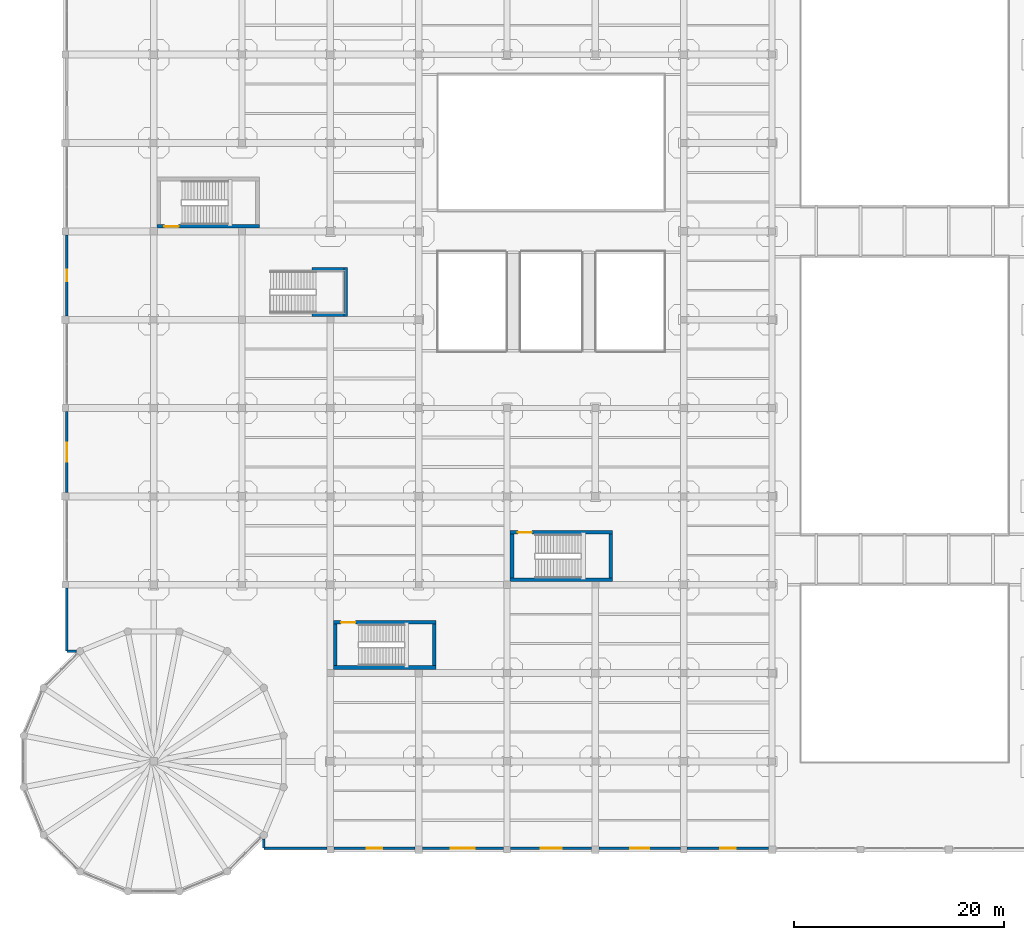
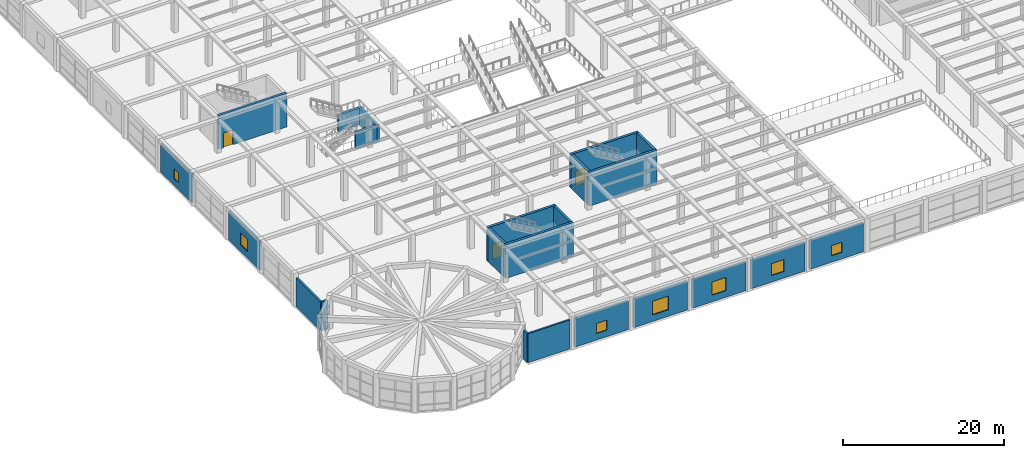
# One storey, part 77 of 95: 23 walls, 7 windows, 3 doors, 10 openings.
"""IFC4 building model written with IfcOpenShell, lengths in metres."""

from ifc_helpers import new_model, si_unit, direction, frame, frame_2d, origin, place, context, subcontext, project, spatial, rectangle, extrude, material, layer, layer_set, type_object, element, fill, save


model = new_model("IFC4")

# Units and contexts
model_context = context("Model", 3, precision=1e-05, world=origin(), true_north=direction((0.0, 1.0)))
body_context = subcontext(model_context, "Body", "Model", "MODEL_VIEW")
ifc_project = project(units=[si_unit("LENGTHUNIT", "METRE"), si_unit("AREAUNIT", "SQUARE_METRE"), si_unit("VOLUMEUNIT", "CUBIC_METRE"), si_unit("PLANEANGLEUNIT", "RADIAN"), si_unit("MASSUNIT", "GRAM", prefix="KILO")], contexts=[model_context])

# Site, building, storey
site_placement = place(None, origin())
site = spatial("IfcSite", under=ifc_project, at=site_placement, CompositionType="ELEMENT")
building_placement = place(site_placement, origin())
building = spatial("IfcBuilding", under=site, at=building_placement, Name="Almacenes y Pasaje Nevantli", CompositionType="ELEMENT")
storey_placement = place(building_placement, frame((0.0, 0.0, 11.39990234375)))
storey = spatial("IfcBuildingStorey", under=building, at=storey_placement, Name="L03", CompositionType="ELEMENT", Elevation=11.39990234375)

# Wall
ifc_material_1 = material(Name="Concrete C45/55", Category="concrete")
ifc_layer_1 = layer(ifc_material_1, 0.35009765625)
ifc_layer_set_1 = layer_set([ifc_layer_1], Name="Concrete C45/55")
wall_type_1 = type_object("IfcWallType", Name="WL-CORE-350", PredefinedType="SHEAR", material=ifc_layer_set_1)
wall_1_placement = place(storey_placement, frame((25.5, 17.324951171875, 0.0), z_axis=(0.0, 0.0, 1.0), x_axis=(1.0, 0.0, 0.0)))
element("IfcWall", 1, at=wall_1_placement, inside=storey, type_object=wall_type_1, Name="L03 Exit Stair ST-04 South Core Shear Wall", PredefinedType="SHEAR", context=body_context, shape_type="SweptSolid", body=[
    extrude(rectangle(XDim=9.75, YDim=0.35009765625, at=frame_2d((4.875, 0.0))), origin(), (0.0, 0.0, 1.0), 5.10009765625),
])

# Wall, opening, door
wall_2_placement = place(storey_placement, frame((25.5, 21.625, 0.0), z_axis=(0.0, 0.0, 1.0), x_axis=(1.0, 0.0, 0.0)))
wall_2 = element("IfcWall", 2, at=wall_2_placement, inside=storey, type_object=wall_type_1, Name="L03 Exit Stair ST-04 North Core Shear Wall", PredefinedType="SHEAR", context=body_context, shape_type="SweptSolid", body=[
    extrude(rectangle(XDim=9.75, YDim=0.35009765625, at=frame_2d((4.875, 0.0))), origin(), (0.0, 0.0, 1.0), 5.10009765625),
])
opening_1_placement = place(wall_2_placement, frame((0.719970703125, 0.0, 0.0)))
opening_1 = element("IfcOpeningElement", 3, at=opening_1_placement, cuts=wall_2, Name="Opening SD-04-L03", PredefinedType="OPENING", context=body_context, shape_type="SweptSolid", body=[
    extrude(rectangle(XDim=1.35009765625, YDim=2.25, at=frame_2d((0.675048828125, 1.125))), frame((0.0, 0.18505859375, 0.0), z_axis=(0.0, -1.0, 0.0), x_axis=(1.0, 0.0, 0.0)), (0.0, 0.0, 1.0), 0.3701171875),
])
ifc_material_2 = material(Name="Galvanized Fire-Rated Steel", Category="steel")
door_type = type_object("IfcDoorType", Name="DR-STAIR-1350R", OperationType="SINGLE_SWING_RIGHT", PredefinedType="DOOR", material=ifc_material_2)
door_1_placement = place(opening_1_placement, origin())
door_1 = element("IfcDoor", 4, at=door_1_placement, inside=storey, type_object=door_type, Name="L03 Smokeproof Exit Stair ST-04 Fire Door", OperationType="SINGLE_SWING_RIGHT", OverallHeight=2.25, OverallWidth=1.35009765625, PredefinedType="DOOR", context=body_context, shape_type="SweptSolid", body=[
    extrude(rectangle(XDim=1.35009765625, YDim=2.25, at=frame_2d((0.675048828125, 1.125))), frame((0.0, 0.02490234375, 0.0), z_axis=(0.0, -1.0, 0.0), x_axis=(1.0, 0.0, 0.0)), (0.0, 0.0, 1.0), 0.050048828125),
])
fill(opening_1, door_1)

# Walls
for number, where, z_axis, x_axis, name in (
    (5, (25.675048828125, 17.5, 0.0), (0.0, 0.0, 1.0), (0.0, 1.0, 0.0), "L03 Exit Stair ST-04 West Core Shear Wall"),
    (6, (35.074951171875, 17.5, 0.0), (0.0, 0.0, 1.0), (0.0, 1.0, 0.0), "L03 Exit Stair ST-04 East Core Shear Wall"),
):
    element("IfcWall", number, at=place(storey_placement, frame(where, z_axis=z_axis, x_axis=x_axis)), inside=storey, type_object=wall_type_1, Name=name, PredefinedType="SHEAR", context=body_context, shape_type="SweptSolid", body=[
        extrude(rectangle(XDim=3.949951171875, YDim=0.35009765625, at=frame_2d((1.97509765625, 0.0))), origin(), (0.0, 0.0, 1.0), 5.10009765625),
    ])

# Wall, opening, door
wall_3_placement = place(storey_placement, frame((8.699951171875, 59.27490234375, 0.0), z_axis=(0.0, 0.0, 1.0), x_axis=(1.0, 0.0, 0.0)))
wall_3 = element("IfcWall", 7, at=wall_3_placement, inside=storey, type_object=wall_type_1, Name="L03 Exit Stair ST-12 South Core Shear Wall", PredefinedType="SHEAR", context=body_context, shape_type="SweptSolid", body=[
    extrude(rectangle(XDim=9.75, YDim=0.35009765625, at=frame_2d((4.875, 0.0))), origin(), (0.0, 0.0, 1.0), 5.10009765625),
])
opening_2_placement = place(wall_3_placement, frame((0.719970703125, 0.0, 0.0)))
opening_2 = element("IfcOpeningElement", 8, at=opening_2_placement, cuts=wall_3, Name="Opening SD-12-L03", PredefinedType="OPENING", context=body_context, shape_type="SweptSolid", body=[
    extrude(rectangle(XDim=1.35009765625, YDim=2.25, at=frame_2d((0.675048828125, 1.125))), frame((0.0, 0.18505859375, 0.0), z_axis=(0.0, -1.0, 0.0), x_axis=(1.0, 0.0, 0.0)), (0.0, 0.0, 1.0), 0.3701171875),
])
door_2_placement = place(opening_2_placement, origin())
door_2 = element("IfcDoor", 9, at=door_2_placement, inside=storey, type_object=door_type, Name="L03 Smokeproof Exit Stair ST-12 Fire Door", OperationType="SINGLE_SWING_RIGHT", OverallHeight=2.25, OverallWidth=1.35009765625, PredefinedType="DOOR", context=body_context, shape_type="SweptSolid", body=[
    extrude(rectangle(XDim=1.35009765625, YDim=2.25, at=frame_2d((0.675048828125, 1.125))), frame((0.0, 0.02490234375, 0.0), z_axis=(0.0, -1.0, 0.0), x_axis=(1.0, 0.0, 0.0)), (0.0, 0.0, 1.0), 0.050048828125),
])
fill(opening_2, door_2)

# Wall
wall_4_placement = place(storey_placement, frame((42.300048828125, 25.675048828125, 0.0), z_axis=(0.0, 0.0, 1.0), x_axis=(1.0, 0.0, 0.0)))
element("IfcWall", 10, at=wall_4_placement, inside=storey, type_object=wall_type_1, Name="L03 Exit Stair ST-14 South Core Shear Wall", PredefinedType="SHEAR", context=body_context, shape_type="SweptSolid", body=[
    extrude(rectangle(XDim=9.75, YDim=0.35009765625, at=frame_2d((4.875, 0.0))), origin(), (0.0, 0.0, 1.0), 5.10009765625),
])

# Wall, opening, door
wall_5_placement = place(storey_placement, frame((42.300048828125, 30.175048828125, 0.0), z_axis=(0.0, 0.0, 1.0), x_axis=(1.0, 0.0, 0.0)))
wall_5 = element("IfcWall", 11, at=wall_5_placement, inside=storey, type_object=wall_type_1, Name="L03 Exit Stair ST-14 North Core Shear Wall", PredefinedType="SHEAR", context=body_context, shape_type="SweptSolid", body=[
    extrude(rectangle(XDim=9.75, YDim=0.35009765625, at=frame_2d((4.875, 0.0))), origin(), (0.0, 0.0, 1.0), 5.10009765625),
])
opening_3_placement = place(wall_5_placement, frame((0.719970703125, 0.0, 0.0)))
opening_3 = element("IfcOpeningElement", 12, at=opening_3_placement, cuts=wall_5, Name="Opening SD-14-L03", PredefinedType="OPENING", context=body_context, shape_type="SweptSolid", body=[
    extrude(rectangle(XDim=1.35009765625, YDim=2.25, at=frame_2d((0.675048828125, 1.125))), frame((0.0, 0.18505859375, 0.0), z_axis=(0.0, -1.0, 0.0), x_axis=(1.0, 0.0, 0.0)), (0.0, 0.0, 1.0), 0.3701171875),
])
door_3_placement = place(opening_3_placement, origin())
door_3 = element("IfcDoor", 13, at=door_3_placement, inside=storey, type_object=door_type, Name="L03 Smokeproof Exit Stair ST-14 Fire Door", OperationType="SINGLE_SWING_RIGHT", OverallHeight=2.25, OverallWidth=1.35009765625, PredefinedType="DOOR", context=body_context, shape_type="SweptSolid", body=[
    extrude(rectangle(XDim=1.35009765625, YDim=2.25, at=frame_2d((0.675048828125, 1.125))), frame((0.0, 0.02490234375, 0.0), z_axis=(0.0, -1.0, 0.0), x_axis=(1.0, 0.0, 0.0)), (0.0, 0.0, 1.0), 0.050048828125),
])
fill(opening_3, door_3)

# Walls
for number, where, z_axis, x_axis, name in (
    (14, (42.47509765625, 25.85009765625, 0.0), (0.0, 0.0, 1.0), (0.0, 1.0, 0.0), "L03 Exit Stair ST-14 West Core Shear Wall"),
    (15, (51.875, 25.85009765625, 0.0), (0.0, 0.0, 1.0), (0.0, 1.0, 0.0), "L03 Exit Stair ST-14 East Core Shear Wall"),
):
    element("IfcWall", number, at=place(storey_placement, frame(where, z_axis=z_axis, x_axis=x_axis)), inside=storey, type_object=wall_type_1, Name=name, PredefinedType="SHEAR", context=body_context, shape_type="SweptSolid", body=[
        extrude(rectangle(XDim=4.14990234375, YDim=0.35009765625, at=frame_2d((2.074951171875, 0.0))), origin(), (0.0, 0.0, 1.0), 5.10009765625),
    ])
wall_6_placement = place(storey_placement, frame((26.675048828125, 50.699951171875, 0.0), z_axis=(0.0, 0.0, 1.0), x_axis=(0.0, 1.0, 0.0)))
element("IfcWall", 16, at=wall_6_placement, inside=storey, type_object=wall_type_1, Name="L03 Monumental Stair ST-11 East Support Fin Wall", PredefinedType="SHEAR", context=body_context, shape_type="SweptSolid", body=[
    extrude(rectangle(XDim=4.650146484375, YDim=0.35009765625, at=frame_2d((2.3251953125, 0.0))), origin(), (0.0, 0.0, 1.0), 2.5),
])
for number, where, z_axis, x_axis, name in (
    (17, (23.449951171875, 50.875, 0.0), (0.0, 0.0, 1.0), (1.0, 0.0, 0.0), "L03 Monumental Stair ST-11 South Support Fin Wall"),
    (18, (23.449951171875, 55.175048828125, 0.0), (0.0, 0.0, 1.0), (1.0, 0.0, 0.0), "L03 Monumental Stair ST-11 North Support Fin Wall"),
):
    element("IfcWall", number, at=place(storey_placement, frame(where, z_axis=z_axis, x_axis=x_axis)), inside=storey, type_object=wall_type_1, Name=name, PredefinedType="SHEAR", context=body_context, shape_type="SweptSolid", body=[
        extrude(rectangle(XDim=3.050048828125, YDim=0.35009765625, at=frame_2d((1.52490234375, 0.0))), origin(), (0.0, 0.0, 1.0), 2.5),
    ])

# Wall, opening, window
ifc_material_3 = material(Name="Cream Architectural Precast Concrete C35/45 Wall", Category="concrete")
ifc_layer_2 = layer(ifc_material_3, 0.260009765625)
ifc_layer_set_2 = layer_set([ifc_layer_2], Name="Cream Architectural Precast Concrete C35/45 Wall")
wall_type_2 = type_object("IfcWallType", Name="WL-EXT-PRECAST-260", PredefinedType="SOLIDWALL", material=ifc_layer_set_2)
wall_7_placement = place(storey_placement, frame((25.528076171875, 0.14990234375, 0.0), z_axis=(0.0, 0.0, 1.0), x_axis=(1.0, 0.0, 0.0)))
wall_7 = element("IfcWall", 19, at=wall_7_placement, inside=storey, type_object=wall_type_2, Name="L03 South Retail Spandrel Wall Bay 4", PredefinedType="SOLIDWALL", context=body_context, shape_type="SweptSolid", body=[
    extrude(rectangle(XDim=7.719970703125, YDim=0.260009765625, at=frame_2d((3.85986328125, 0.0))), origin(), (0.0, 0.0, 1.0), 4.380126953125),
])
opening_4_placement = place(wall_7_placement, frame((3.1220703125, 0.0, 1.0)))
opening_4 = element("IfcOpeningElement", 20, at=opening_4_placement, cuts=wall_7, Name="Opening WT-08-099", PredefinedType="OPENING", context=body_context, shape_type="SweptSolid", body=[
    extrude(rectangle(XDim=1.5, YDim=1.5, at=frame_2d((0.75, 0.75))), frame((0.0, 0.139892578125, 0.0), z_axis=(0.0, -1.0, 0.0), x_axis=(1.0, 0.0, 0.0)), (0.0, 0.0, 1.0), 0.280029296875),
])
ifc_material_4 = material(Name="Thermally Broken Aluminium and Low-E Double Glazing", Category="aluminium")
window_type_1 = type_object("IfcWindowType", Name="WN-OCU-1500", PartitioningType="SINGLE_PANEL", PredefinedType="WINDOW", material=ifc_material_4)
window_1_placement = place(opening_4_placement, origin())
window_1 = element("IfcWindow", 21, at=window_1_placement, inside=storey, type_object=window_type_1, Name="L03 Exterior Window WT-08 #99", OverallHeight=1.5, OverallWidth=1.5, PartitioningType="SINGLE_PANEL", PredefinedType="WINDOW", context=body_context, shape_type="SweptSolid", body=[
    extrude(rectangle(XDim=1.5, YDim=1.5, at=frame_2d((0.75, 0.75))), frame((0.0, 0.030029296875, 0.0), z_axis=(0.0, -1.0, 0.0), x_axis=(1.0, 0.0, 0.0)), (0.0, 0.0, 1.0), 0.06005859375),
])
fill(opening_4, window_1)

wall_8_placement = place(storey_placement, frame((33.9541015625, 0.14990234375, 0.0), z_axis=(0.0, 0.0, 1.0), x_axis=(1.0, 0.0, 0.0)))
wall_8 = element("IfcWall", 22, at=wall_8_placement, inside=storey, type_object=wall_type_2, Name="L03 South Retail Spandrel Wall Bay 5", PredefinedType="SOLIDWALL", context=body_context, shape_type="SweptSolid", body=[
    extrude(rectangle(XDim=7.718017578125, YDim=0.260009765625, at=frame_2d((3.85888671875, 0.0))), origin(), (0.0, 0.0, 1.0), 4.380126953125),
])
opening_5_placement = place(wall_8_placement, frame((2.696044921875, 0.0, 1.0)))
opening_5 = element("IfcOpeningElement", 23, at=opening_5_placement, cuts=wall_8, Name="Opening WT-14-100", PredefinedType="OPENING", context=body_context, shape_type="SweptSolid", body=[
    extrude(rectangle(XDim=2.300048828125, YDim=2.050048828125, at=frame_2d((1.14990234375, 1.02490234375))), frame((0.0, 0.139892578125, 0.0), z_axis=(0.0, -1.0, 0.0), x_axis=(1.0, 0.0, 0.0)), (0.0, 0.0, 1.0), 0.280029296875),
])
ifc_material_5 = material(Name="Thermally Broken Aluminium and Low-E Double Glazing", Category="aluminium")
window_type_2 = type_object("IfcWindowType", Name="WN-POD-2300x2050", PartitioningType="SINGLE_PANEL", PredefinedType="WINDOW", material=ifc_material_5)
window_2_placement = place(opening_5_placement, origin())
window_2 = element("IfcWindow", 24, at=window_2_placement, inside=storey, type_object=window_type_2, Name="L03 Exterior Window WT-14 #100", OverallHeight=2.050048828125, OverallWidth=2.300048828125, PartitioningType="SINGLE_PANEL", PredefinedType="WINDOW", context=body_context, shape_type="SweptSolid", body=[
    extrude(rectangle(XDim=2.300048828125, YDim=2.050048828125, at=frame_2d((1.14990234375, 1.02490234375))), frame((0.0, 0.030029296875, 0.0), z_axis=(0.0, -1.0, 0.0), x_axis=(1.0, 0.0, 0.0)), (0.0, 0.0, 1.0), 0.06005859375),
])
fill(opening_5, window_2)

wall_9_placement = place(storey_placement, frame((42.327880859375, 0.14990234375, 0.0), z_axis=(0.0, 0.0, 1.0), x_axis=(1.0, 0.0, 0.0)))
wall_9 = element("IfcWall", 25, at=wall_9_placement, inside=storey, type_object=wall_type_2, Name="L03 South Retail Spandrel Wall Bay 6", PredefinedType="SOLIDWALL", context=body_context, shape_type="SweptSolid", body=[
    extrude(rectangle(XDim=7.718017578125, YDim=0.260009765625, at=frame_2d((3.85888671875, 0.0))), origin(), (0.0, 0.0, 1.0), 4.380126953125),
])
opening_6_placement = place(wall_9_placement, frame((2.8720703125, 0.0, 1.0)))
opening_6 = element("IfcOpeningElement", 26, at=opening_6_placement, cuts=wall_9, Name="Opening WT-15-101", PredefinedType="OPENING", context=body_context, shape_type="SweptSolid", body=[
    extrude(rectangle(XDim=2.0, YDim=2.0, at=frame_2d((1.0, 1.0))), frame((0.0, 0.139892578125, 0.0), z_axis=(0.0, -1.0, 0.0), x_axis=(1.0, 0.0, 0.0)), (0.0, 0.0, 1.0), 0.280029296875),
])
ifc_material_6 = material(Name="Thermally Broken Aluminium and Low-E Double Glazing", Category="aluminium")
window_type_3 = type_object("IfcWindowType", Name="WN-POD-2000x2000", PartitioningType="SINGLE_PANEL", PredefinedType="WINDOW", material=ifc_material_6)
window_3_placement = place(opening_6_placement, origin())
window_3 = element("IfcWindow", 27, at=window_3_placement, inside=storey, type_object=window_type_3, Name="L03 Exterior Window WT-15 #101", OverallHeight=2.0, OverallWidth=2.0, PartitioningType="SINGLE_PANEL", PredefinedType="WINDOW", context=body_context, shape_type="SweptSolid", body=[
    extrude(rectangle(XDim=2.0, YDim=2.0, at=frame_2d((1.0, 1.0))), frame((0.0, 0.030029296875, 0.0), z_axis=(0.0, -1.0, 0.0), x_axis=(1.0, 0.0, 0.0)), (0.0, 0.0, 1.0), 0.06005859375),
])
fill(opening_6, window_3)

wall_10_placement = place(storey_placement, frame((50.751953125, 0.14990234375, 0.0), z_axis=(0.0, 0.0, 1.0), x_axis=(1.0, 0.0, 0.0)))
wall_10 = element("IfcWall", 28, at=wall_10_placement, inside=storey, type_object=wall_type_2, Name="L03 South Retail Spandrel Wall Bay 7", PredefinedType="SOLIDWALL", context=body_context, shape_type="SweptSolid", body=[
    extrude(rectangle(XDim=7.719970703125, YDim=0.260009765625, at=frame_2d((3.85986328125, 0.0))), origin(), (0.0, 0.0, 1.0), 4.380126953125),
])
opening_7_placement = place(wall_10_placement, frame((2.947998046875, 0.0, 1.0)))
opening_7 = element("IfcOpeningElement", 29, at=opening_7_placement, cuts=wall_10, Name="Opening WT-07-102", PredefinedType="OPENING", context=body_context, shape_type="SweptSolid", body=[
    extrude(rectangle(XDim=1.800048828125, YDim=1.800048828125, at=frame_2d((0.89990234375, 0.89990234375))), frame((0.0, 0.139892578125, 0.0), z_axis=(0.0, -1.0, 0.0), x_axis=(1.0, 0.0, 0.0)), (0.0, 0.0, 1.0), 0.280029296875),
])
ifc_material_7 = material(Name="Thermally Broken Aluminium and Low-E Double Glazing", Category="aluminium")
window_type_4 = type_object("IfcWindowType", Name="WN-OCU-1800", PartitioningType="SINGLE_PANEL", PredefinedType="WINDOW", material=ifc_material_7)
window_4_placement = place(opening_7_placement, origin())
window_4 = element("IfcWindow", 30, at=window_4_placement, inside=storey, type_object=window_type_4, Name="L03 Exterior Window WT-07 #102", OverallHeight=1.800048828125, OverallWidth=1.800048828125, PartitioningType="SINGLE_PANEL", PredefinedType="WINDOW", context=body_context, shape_type="SweptSolid", body=[
    extrude(rectangle(XDim=1.800048828125, YDim=1.800048828125, at=frame_2d((0.89990234375, 0.89990234375))), frame((0.0, 0.030029296875, 0.0), z_axis=(0.0, -1.0, 0.0), x_axis=(1.0, 0.0, 0.0)), (0.0, 0.0, 1.0), 0.06005859375),
])
fill(opening_7, window_4)

wall_11_placement = place(storey_placement, frame((59.1279296875, 0.14990234375, 0.0), z_axis=(0.0, 0.0, 1.0), x_axis=(1.0, 0.0, 0.0)))
wall_11 = element("IfcWall", 31, at=wall_11_placement, inside=storey, type_object=wall_type_2, Name="L03 South Retail Spandrel Wall Bay 8", PredefinedType="SOLIDWALL", context=body_context, shape_type="SweptSolid", body=[
    extrude(rectangle(XDim=7.719970703125, YDim=0.260009765625, at=frame_2d((3.85986328125, 0.0))), origin(), (0.0, 0.0, 1.0), 4.380126953125),
])
opening_8_placement = place(wall_11_placement, frame((3.1220703125, 0.0, 1.0)))
opening_8 = element("IfcOpeningElement", 32, at=opening_8_placement, cuts=wall_11, Name="Opening WT-08-103", PredefinedType="OPENING", context=body_context, shape_type="SweptSolid", body=[
    extrude(rectangle(XDim=1.5, YDim=1.5, at=frame_2d((0.75, 0.75))), frame((0.0, 0.139892578125, 0.0), z_axis=(0.0, -1.0, 0.0), x_axis=(1.0, 0.0, 0.0)), (0.0, 0.0, 1.0), 0.280029296875),
])
window_5_placement = place(opening_8_placement, origin())
window_5 = element("IfcWindow", 33, at=window_5_placement, inside=storey, type_object=window_type_1, Name="L03 Exterior Window WT-08 #103", OverallHeight=1.5, OverallWidth=1.5, PartitioningType="SINGLE_PANEL", PredefinedType="WINDOW", context=body_context, shape_type="SweptSolid", body=[
    extrude(rectangle(XDim=1.5, YDim=1.5, at=frame_2d((0.75, 0.75))), frame((0.0, 0.030029296875, 0.0), z_axis=(0.0, -1.0, 0.0), x_axis=(1.0, 0.0, 0.0)), (0.0, 0.0, 1.0), 0.06005859375),
])
fill(opening_8, window_5)

wall_12_placement = place(storey_placement, frame((0.14990234375, 33.9541015625, 0.0), z_axis=(0.0, 0.0, 1.0), x_axis=(0.0, 1.0, 0.0)))
wall_12 = element("IfcWall", 34, at=wall_12_placement, inside=storey, type_object=wall_type_2, Name="L03 West Avenue Cantera Wall Bay 5", PredefinedType="SOLIDWALL", context=body_context, shape_type="SweptSolid", body=[
    extrude(rectangle(XDim=7.718017578125, YDim=0.260009765625, at=frame_2d((3.85888671875, 0.0))), origin(), (0.0, 0.0, 1.0), 4.380126953125),
])
opening_9_placement = place(wall_12_placement, frame((2.946044921875, 0.0, 1.050048828125)))
opening_9 = element("IfcOpeningElement", 35, at=opening_9_placement, cuts=wall_12, Name="Opening WT-07-113", PredefinedType="OPENING", context=body_context, shape_type="SweptSolid", body=[
    extrude(rectangle(XDim=1.800048828125, YDim=1.800048828125, at=frame_2d((0.89990234375, 0.89990234375))), frame((0.0, 0.139892578125, 0.0), z_axis=(0.0, -1.0, 0.0), x_axis=(1.0, 0.0, 0.0)), (0.0, 0.0, 1.0), 0.280029296875),
])
window_6_placement = place(opening_9_placement, origin())
window_6 = element("IfcWindow", 36, at=window_6_placement, inside=storey, type_object=window_type_4, Name="L03 Exterior Window WT-07 #113", OverallHeight=1.800048828125, OverallWidth=1.800048828125, PartitioningType="SINGLE_PANEL", PredefinedType="WINDOW", context=body_context, shape_type="SweptSolid", body=[
    extrude(rectangle(XDim=1.800048828125, YDim=1.800048828125, at=frame_2d((0.89990234375, 0.89990234375))), frame((0.0, 0.030029296875, 0.0), z_axis=(0.0, -1.0, 0.0), x_axis=(1.0, 0.0, 0.0)), (0.0, 0.0, 1.0), 0.06005859375),
])
fill(opening_9, window_6)

wall_13_placement = place(storey_placement, frame((0.14990234375, 50.751953125, 0.0), z_axis=(0.0, 0.0, 1.0), x_axis=(0.0, 1.0, 0.0)))
wall_13 = element("IfcWall", 37, at=wall_13_placement, inside=storey, type_object=wall_type_2, Name="L03 West Avenue Cantera Wall Bay 7", PredefinedType="SOLIDWALL", context=body_context, shape_type="SweptSolid", body=[
    extrude(rectangle(XDim=7.719970703125, YDim=0.260009765625, at=frame_2d((3.85986328125, 0.0))), origin(), (0.0, 0.0, 1.0), 4.380126953125),
])
opening_10_placement = place(wall_13_placement, frame((3.298095703125, 0.0, 1.050048828125)))
opening_10 = element("IfcOpeningElement", 38, at=opening_10_placement, cuts=wall_13, Name="Opening WT-19-114", PredefinedType="OPENING", context=body_context, shape_type="SweptSolid", body=[
    extrude(rectangle(XDim=1.10009765625, YDim=1.5, at=frame_2d((0.550048828125, 0.75))), frame((0.0, 0.139892578125, 0.0), z_axis=(0.0, -1.0, 0.0), x_axis=(1.0, 0.0, 0.0)), (0.0, 0.0, 1.0), 0.280029296875),
])
ifc_material_8 = material(Name="Thermally Broken Aluminium and Low-E Double Glazing", Category="aluminium")
window_type_5 = type_object("IfcWindowType", Name="WN-POD-1100x1500", PartitioningType="SINGLE_PANEL", PredefinedType="WINDOW", material=ifc_material_8)
window_7_placement = place(opening_10_placement, origin())
window_7 = element("IfcWindow", 39, at=window_7_placement, inside=storey, type_object=window_type_5, Name="L03 Exterior Window WT-19 #114", OverallHeight=1.5, OverallWidth=1.10009765625, PartitioningType="SINGLE_PANEL", PredefinedType="WINDOW", context=body_context, shape_type="SweptSolid", body=[
    extrude(rectangle(XDim=1.10009765625, YDim=1.5, at=frame_2d((0.550048828125, 0.75))), frame((0.0, 0.030029296875, 0.0), z_axis=(0.0, -1.0, 0.0), x_axis=(1.0, 0.0, 0.0)), (0.0, 0.0, 1.0), 0.06005859375),
])
fill(opening_10, window_7)

# Walls
wall_14_placement = place(storey_placement, frame((0.14990234375, 18.8798828125, 0.0), z_axis=(0.0, 0.0, 1.0), x_axis=(0.0, 1.0, 0.0)))
element("IfcWall", 40, at=wall_14_placement, inside=storey, type_object=wall_type_2, Name="L03 Rotunda-to-West Facade Closure Wall", PredefinedType="SOLIDWALL", context=body_context, shape_type="SweptSolid", body=[
    extrude(rectangle(XDim=5.9921875, YDim=0.260009765625, at=frame_2d((2.99609375, 0.0))), origin(), (0.0, 0.0, 1.0), 4.380126953125),
])
wall_15_placement = place(storey_placement, frame((0.14990234375, 18.8798828125, 0.0), z_axis=(0.0, 0.0, 1.0), x_axis=(1.0, 0.0, 0.0)))
element("IfcWall", 41, at=wall_15_placement, inside=storey, type_object=wall_type_2, Name="L03 Rotunda-to-West Corner Return Wall", PredefinedType="SOLIDWALL", context=body_context, shape_type="SweptSolid", body=[
    extrude(rectangle(XDim=0.89599609375, YDim=0.260009765625, at=frame_2d((0.447998046875, 0.0))), origin(), (0.0, 0.0, 1.0), 4.380126953125),
])
wall_16_placement = place(storey_placement, frame((18.8798828125, 0.14990234375, 0.0), z_axis=(0.0, 0.0, 1.0), x_axis=(1.0, 0.0, 0.0)))
element("IfcWall", 42, at=wall_16_placement, inside=storey, type_object=wall_type_2, Name="L03 Rotunda-to-South Facade Closure Wall", PredefinedType="SOLIDWALL", context=body_context, shape_type="SweptSolid", body=[
    extrude(rectangle(XDim=5.9921875, YDim=0.260009765625, at=frame_2d((2.99609375, 0.0))), origin(), (0.0, 0.0, 1.0), 4.380126953125),
])
wall_17_placement = place(storey_placement, frame((18.8798828125, 0.14990234375, 0.0), z_axis=(0.0, 0.0, 1.0), x_axis=(0.0, 1.0, 0.0)))
element("IfcWall", 43, at=wall_17_placement, inside=storey, type_object=wall_type_2, Name="L03 Rotunda-to-South Corner Return Wall", PredefinedType="SOLIDWALL", context=body_context, shape_type="SweptSolid", body=[
    extrude(rectangle(XDim=0.89599609375, YDim=0.260009765625, at=frame_2d((0.447998046875, 0.0))), origin(), (0.0, 0.0, 1.0), 4.380126953125),
])

save(model, "model.ifc")
